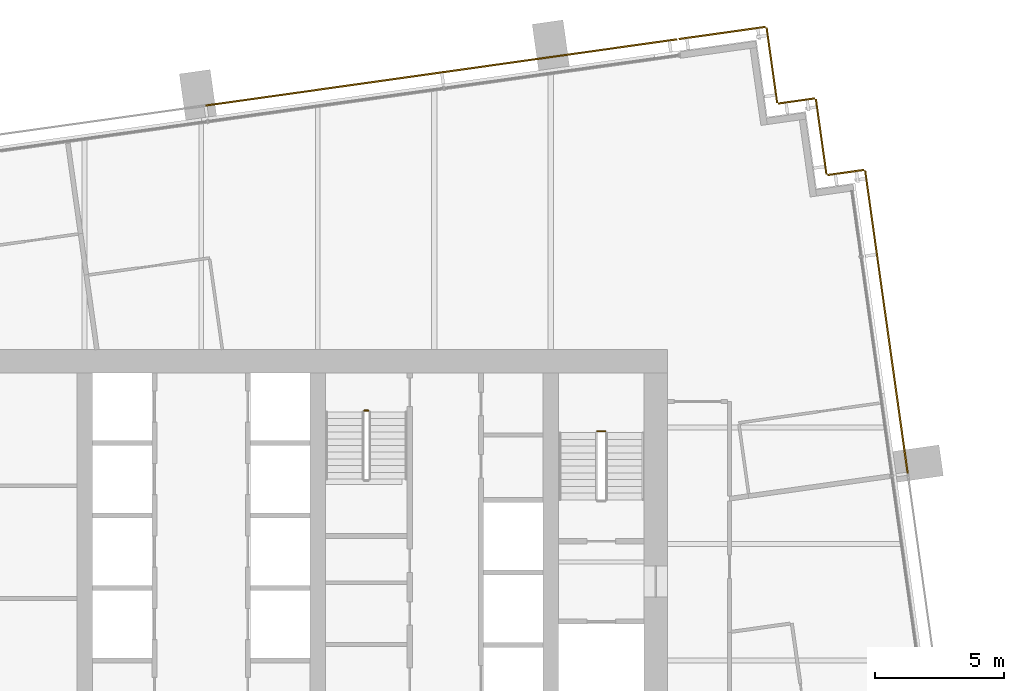
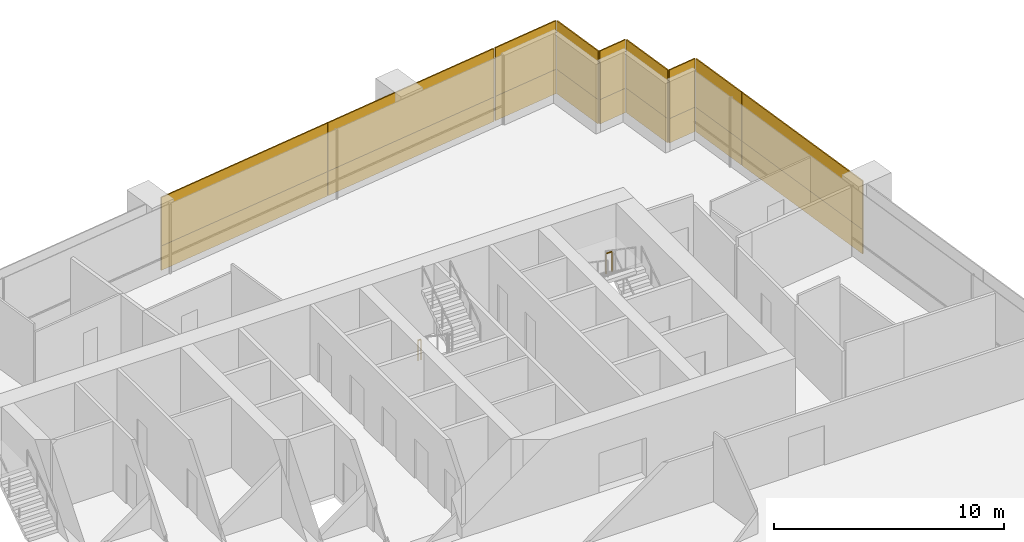
# One storey, part 18 of 18: 18 coverings, 2 railings.
"""IFC4 building model written with IfcOpenShell, lengths in metres."""

from ifc_helpers import new_model, si_unit, direction, frame, origin, origin_2d, place, context, subcontext, project, spatial, rectangle, extrude, material, layer, layer_set, type_object, element, save


model = new_model("IFC4")

# Units and contexts
model_context = context("Model", 3, precision=1e-05, world=origin(), true_north=direction((0.0, 1.0)))
body_context = subcontext(model_context, "Body", "Model", "MODEL_VIEW")
ifc_project = project(units=[si_unit("LENGTHUNIT", "METRE"), si_unit("AREAUNIT", "SQUARE_METRE"), si_unit("VOLUMEUNIT", "CUBIC_METRE"), si_unit("PLANEANGLEUNIT", "RADIAN"), si_unit("MASSUNIT", "GRAM", prefix="KILO")], contexts=[model_context])

# Site, building, storey
site_placement = place(None, origin())
site = spatial("IfcSite", under=ifc_project, at=site_placement, CompositionType="ELEMENT")
building_placement = place(site_placement, origin())
building = spatial("IfcBuilding", under=site, at=building_placement, Name="Rattan Terrace Tower", CompositionType="ELEMENT")
storey_placement = place(building_placement, frame((0.0, 0.0, 176.300048828125)))
storey = spatial("IfcBuildingStorey", under=building, at=storey_placement, Name="L40", CompositionType="ELEMENT", Elevation=176.300048828125)

# Railings
ifc_material_1 = material(Name="Powder-coated steel guard", Category="steel")
railing_type = type_object("IfcRailingType", Name="Core stair guard", PredefinedType="GUARDRAIL", material=ifc_material_1)
railing_1_placement = place(storey_placement, frame((15.60009765625, 4.35009765625, 1.949951171875)))
element("IfcRailing", 1, at=railing_1_placement, inside=storey, type_object=railing_type, Name="L40 S2 stair guard 2", PredefinedType="GUARDRAIL", context=body_context, shape_type="SweptSolid", body=[
    extrude(rectangle(XDim=0.048095703125, YDim=0.048095703125, at=origin_2d()), frame((0.0, 0.0, 1.076171875), z_axis=(-1.0, 0.0, 0.0), x_axis=(0.0, -1.0, 0.0)), (0.0, 0.0, 1.0), 0.300048828125),
    extrude(rectangle(XDim=0.0419921875, YDim=0.0419921875, at=origin_2d()), origin(), (0.0, 0.0, 1.0), 1.052001953125),
    extrude(rectangle(XDim=0.0419921875, YDim=0.0419921875, at=origin_2d()), frame((-0.300048828125, 0.0, 0.0)), (0.0, 0.0, 1.0), 1.052001953125),
])
railing_2_placement = place(storey_placement, frame((6.300048828125, 5.14990234375, 0.0)))
element("IfcRailing", 2, at=railing_2_placement, inside=storey, type_object=railing_type, Name="L40 S3 stair guard 4", PredefinedType="GUARDRAIL", context=body_context, shape_type="SweptSolid", body=[
    extrude(rectangle(XDim=0.048095703125, YDim=0.048095703125, at=origin_2d()), frame((0.0, 0.0, 1.076171875), z_axis=(1.0, 0.0, 0.0), x_axis=(0.0, 1.0, 0.0)), (0.0, 0.0, 1.0), 0.14990234375),
    extrude(rectangle(XDim=0.0419921875, YDim=0.0419921875, at=origin_2d()), origin(), (0.0, 0.0, 1.0), 1.052001953125),
    extrude(rectangle(XDim=0.0419921875, YDim=0.0419921875, at=origin_2d()), frame((0.14990234375, 0.0, 0.0)), (0.0, 0.0, 1.0), 1.052001953125),
])

# Coverings
ifc_material_2 = material(Name="Solid terracotta", Category="masonry")
ifc_layer_1 = layer(ifc_material_2, 0.06005859375)
ifc_layer_set_1 = layer_set([ifc_layer_1], Name="Facade Terracotta Band Panel")
covering_type_1 = type_object("IfcCoveringType", Name="Facade Terracotta Band Panel", PredefinedType="CLADDING", material=ifc_layer_set_1)
covering_1_placement = place(storey_placement, frame((26.6865234375, 6.945556640625, -0.18994140625), z_axis=(0.0, 0.0, 1.0), x_axis=(-0.139190856006, 0.99026557327, 0.0)))
element("IfcCovering", 3, at=covering_1_placement, inside=storey, type_object=covering_type_1, Name="OUTER SKIN panel L40-8A", PredefinedType="CLADDING", context=body_context, shape_type="SweptSolid", body=[
    extrude(rectangle(XDim=8.530029296875, YDim=0.06005859375, at=origin_2d()), origin(), (0.0, 0.0, 1.0), 1.300048828125),
])
covering_2_placement = place(storey_placement, frame((25.86376953125, 12.79833984375, -0.18994140625), z_axis=(0.0, 0.0, 1.0), x_axis=(-0.139190856006, 0.99026557327, 0.0)))
element("IfcCovering", 4, at=covering_2_placement, inside=storey, type_object=covering_type_1, Name="OUTER SKIN panel L40-9A", PredefinedType="CLADDING", context=body_context, shape_type="SweptSolid", body=[
    extrude(rectangle(XDim=3.25048828125, YDim=0.06005859375, at=origin_2d()), origin(), (0.0, 0.0, 1.0), 1.300048828125),
])
covering_3_placement = place(storey_placement, frame((24.889404296875, 14.3427734375, -0.18994140625), z_axis=(0.0, 0.0, 1.0), x_axis=(-0.990240767803, -0.139367219175, 0.0)))
element("IfcCovering", 5, at=covering_3_placement, inside=storey, type_object=covering_type_1, Name="OUTER SKIN panel L40-10A", PredefinedType="CLADDING", context=body_context, shape_type="SweptSolid", body=[
    extrude(rectangle(XDim=1.419677734375, YDim=0.06005859375, at=origin_2d()), origin(), (0.0, 0.0, 1.0), 1.300048828125),
])
covering_4_placement = place(storey_placement, frame((23.93798828125, 15.723876953125, -0.18994140625), z_axis=(0.0, 0.0, 1.0), x_axis=(-0.139321220646, 0.990247240581, 0.0)))
element("IfcCovering", 6, at=covering_4_placement, inside=storey, type_object=covering_type_1, Name="OUTER SKIN panel L40-11A", PredefinedType="CLADDING", context=body_context, shape_type="SweptSolid", body=[
    extrude(rectangle(XDim=2.920166015625, YDim=0.06005859375, at=origin_2d()), origin(), (0.0, 0.0, 1.0), 1.300048828125),
])
covering_5_placement = place(storey_placement, frame((22.986328125, 17.104736328125, -0.18994140625), z_axis=(0.0, 0.0, 1.0), x_axis=(-0.990240767803, -0.139367219175, 0.0)))
element("IfcCovering", 7, at=covering_5_placement, inside=storey, type_object=covering_type_1, Name="OUTER SKIN panel L40-12A", PredefinedType="CLADDING", context=body_context, shape_type="SweptSolid", body=[
    extrude(rectangle(XDim=1.419677734375, YDim=0.06005859375, at=origin_2d()), origin(), (0.0, 0.0, 1.0), 1.300048828125),
])
covering_6_placement = place(storey_placement, frame((22.034912109375, 18.48583984375, -0.18994140625), z_axis=(0.0, 0.0, 1.0), x_axis=(-0.139321220646, 0.990247240581, 0.0)))
element("IfcCovering", 8, at=covering_6_placement, inside=storey, type_object=covering_type_1, Name="OUTER SKIN panel L40-13A", PredefinedType="CLADDING", context=body_context, shape_type="SweptSolid", body=[
    extrude(rectangle(XDim=2.920166015625, YDim=0.06005859375, at=origin_2d()), origin(), (0.0, 0.0, 1.0), 1.300048828125),
])
covering_7_placement = place(storey_placement, frame((20.1181640625, 19.73095703125, -0.18994140625), z_axis=(0.0, 0.0, 1.0), x_axis=(-0.990240767803, -0.139367219175, 0.0)))
element("IfcCovering", 9, at=covering_7_placement, inside=storey, type_object=covering_type_1, Name="OUTER SKIN panel L40-14A", PredefinedType="CLADDING", context=body_context, shape_type="SweptSolid", body=[
    extrude(rectangle(XDim=3.369140625, YDim=0.06005859375, at=origin_2d()), origin(), (0.0, 0.0, 1.0), 1.300048828125),
])
covering_8_placement = place(storey_placement, frame((13.833740234375, 18.847412109375, -0.18994140625), z_axis=(0.0, 0.0, 1.0), x_axis=(-0.990269702686, -0.139161474347, 0.0)))
element("IfcCovering", 10, at=covering_8_placement, inside=storey, type_object=covering_type_1, Name="OUTER SKIN panel L40-15A", PredefinedType="CLADDING", context=body_context, shape_type="SweptSolid", body=[
    extrude(rectangle(XDim=9.162841796875, YDim=0.06005859375, at=origin_2d()), origin(), (0.0, 0.0, 1.0), 1.300048828125),
])
covering_9_placement = place(storey_placement, frame((4.725341796875, 17.5673828125, -0.18994140625), z_axis=(0.0, 0.0, 1.0), x_axis=(-0.990269702686, -0.139161474347, 0.0)))
element("IfcCovering", 11, at=covering_9_placement, inside=storey, type_object=covering_type_1, Name="OUTER SKIN panel L40-16A", PredefinedType="CLADDING", context=body_context, shape_type="SweptSolid", body=[
    extrude(rectangle(XDim=9.193115234375, YDim=0.06005859375, at=origin_2d()), origin(), (0.0, 0.0, 1.0), 1.300048828125),
])
ifc_material_3 = material(Name="Perforated terracotta", Category="masonry")
ifc_layer_2 = layer(ifc_material_3, 0.06005859375)
ifc_layer_set_2 = layer_set([ifc_layer_2], Name="Facade Terracotta Screen Panel")
covering_type_2 = type_object("IfcCoveringType", Name="Facade Terracotta Screen Panel", PredefinedType="CLADDING", material=ifc_layer_set_2)
covering_10_placement = place(storey_placement, frame((26.6865234375, 6.945556640625, 1.10986328125), z_axis=(0.0, 0.0, 1.0), x_axis=(-0.139190856006, 0.99026557327, 0.0)))
element("IfcCovering", 12, at=covering_10_placement, inside=storey, type_object=covering_type_2, Name="OUTER SKIN panel L40-8B", PredefinedType="CLADDING", context=body_context, shape_type="SweptSolid", body=[
    extrude(rectangle(XDim=8.530029296875, YDim=0.06005859375, at=origin_2d()), origin(), (0.0, 0.0, 1.0), 2.580078125),
])
covering_11_placement = place(storey_placement, frame((25.86376953125, 12.79833984375, 1.10986328125), z_axis=(0.0, 0.0, 1.0), x_axis=(-0.139190856006, 0.99026557327, 0.0)))
element("IfcCovering", 13, at=covering_11_placement, inside=storey, type_object=covering_type_2, Name="OUTER SKIN panel L40-9B", PredefinedType="CLADDING", context=body_context, shape_type="SweptSolid", body=[
    extrude(rectangle(XDim=3.25048828125, YDim=0.06005859375, at=origin_2d()), origin(), (0.0, 0.0, 1.0), 2.580078125),
])
covering_12_placement = place(storey_placement, frame((24.889404296875, 14.3427734375, 1.10986328125), z_axis=(0.0, 0.0, 1.0), x_axis=(-0.990240767803, -0.139367219175, 0.0)))
element("IfcCovering", 14, at=covering_12_placement, inside=storey, type_object=covering_type_2, Name="OUTER SKIN panel L40-10B", PredefinedType="CLADDING", context=body_context, shape_type="SweptSolid", body=[
    extrude(rectangle(XDim=1.419677734375, YDim=0.06005859375, at=origin_2d()), origin(), (0.0, 0.0, 1.0), 2.580078125),
])
covering_13_placement = place(storey_placement, frame((23.93798828125, 15.723876953125, 1.10986328125), z_axis=(0.0, 0.0, 1.0), x_axis=(-0.139321220646, 0.990247240581, 0.0)))
element("IfcCovering", 15, at=covering_13_placement, inside=storey, type_object=covering_type_2, Name="OUTER SKIN panel L40-11B", PredefinedType="CLADDING", context=body_context, shape_type="SweptSolid", body=[
    extrude(rectangle(XDim=2.920166015625, YDim=0.06005859375, at=origin_2d()), origin(), (0.0, 0.0, 1.0), 2.580078125),
])
covering_14_placement = place(storey_placement, frame((22.986328125, 17.104736328125, 1.10986328125), z_axis=(0.0, 0.0, 1.0), x_axis=(-0.990240767803, -0.139367219175, 0.0)))
element("IfcCovering", 16, at=covering_14_placement, inside=storey, type_object=covering_type_2, Name="OUTER SKIN panel L40-12B", PredefinedType="CLADDING", context=body_context, shape_type="SweptSolid", body=[
    extrude(rectangle(XDim=1.419677734375, YDim=0.06005859375, at=origin_2d()), origin(), (0.0, 0.0, 1.0), 2.580078125),
])
covering_15_placement = place(storey_placement, frame((22.034912109375, 18.48583984375, 1.10986328125), z_axis=(0.0, 0.0, 1.0), x_axis=(-0.139321220646, 0.990247240581, 0.0)))
element("IfcCovering", 17, at=covering_15_placement, inside=storey, type_object=covering_type_2, Name="OUTER SKIN panel L40-13B", PredefinedType="CLADDING", context=body_context, shape_type="SweptSolid", body=[
    extrude(rectangle(XDim=2.920166015625, YDim=0.06005859375, at=origin_2d()), origin(), (0.0, 0.0, 1.0), 2.580078125),
])
covering_16_placement = place(storey_placement, frame((20.1181640625, 19.73095703125, 1.10986328125), z_axis=(0.0, 0.0, 1.0), x_axis=(-0.990240767803, -0.139367219175, 0.0)))
element("IfcCovering", 18, at=covering_16_placement, inside=storey, type_object=covering_type_2, Name="OUTER SKIN panel L40-14B", PredefinedType="CLADDING", context=body_context, shape_type="SweptSolid", body=[
    extrude(rectangle(XDim=3.369140625, YDim=0.06005859375, at=origin_2d()), origin(), (0.0, 0.0, 1.0), 2.580078125),
])
covering_17_placement = place(storey_placement, frame((13.833740234375, 18.847412109375, 1.10986328125), z_axis=(0.0, 0.0, 1.0), x_axis=(-0.990269702686, -0.139161474347, 0.0)))
element("IfcCovering", 19, at=covering_17_placement, inside=storey, type_object=covering_type_2, Name="OUTER SKIN panel L40-15B", PredefinedType="CLADDING", context=body_context, shape_type="SweptSolid", body=[
    extrude(rectangle(XDim=9.162841796875, YDim=0.06005859375, at=origin_2d()), origin(), (0.0, 0.0, 1.0), 2.580078125),
])
covering_18_placement = place(storey_placement, frame((4.725341796875, 17.5673828125, 1.10986328125), z_axis=(0.0, 0.0, 1.0), x_axis=(-0.990269702686, -0.139161474347, 0.0)))
element("IfcCovering", 20, at=covering_18_placement, inside=storey, type_object=covering_type_2, Name="OUTER SKIN panel L40-16B", PredefinedType="CLADDING", context=body_context, shape_type="SweptSolid", body=[
    extrude(rectangle(XDim=9.193115234375, YDim=0.06005859375, at=origin_2d()), origin(), (0.0, 0.0, 1.0), 2.580078125),
])

save(model, "model.ifc")
